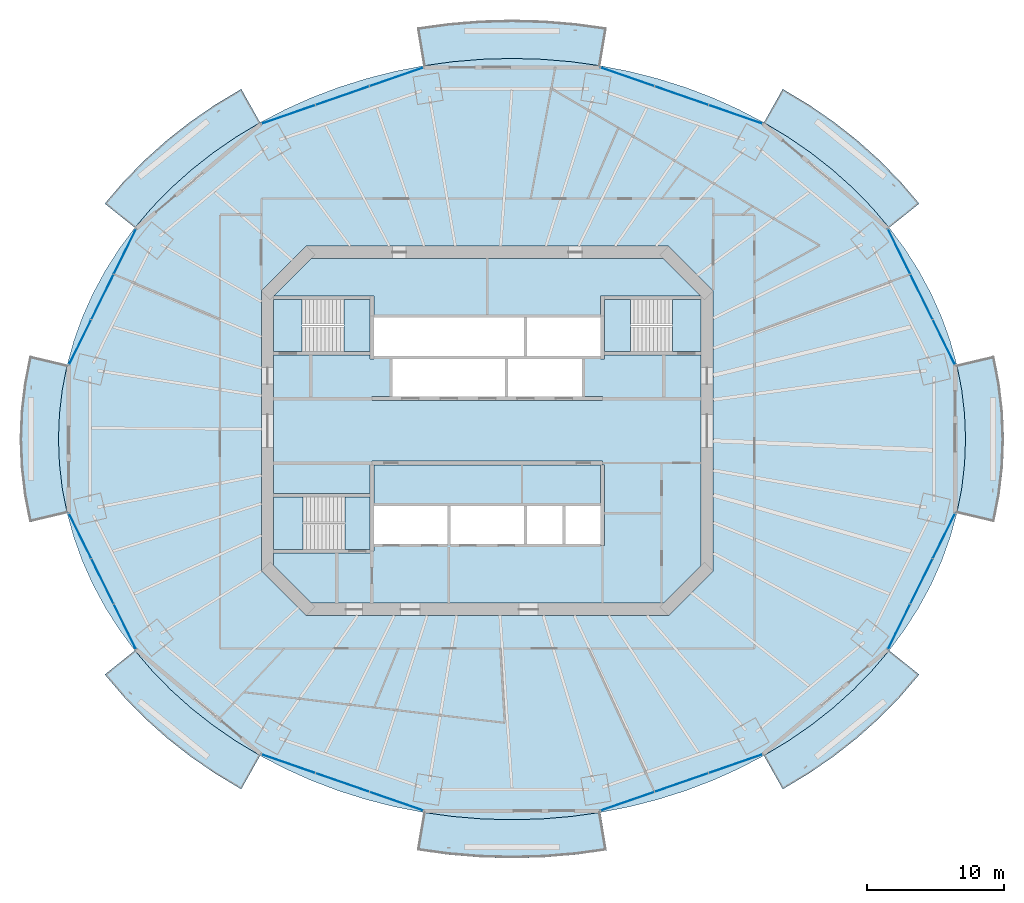
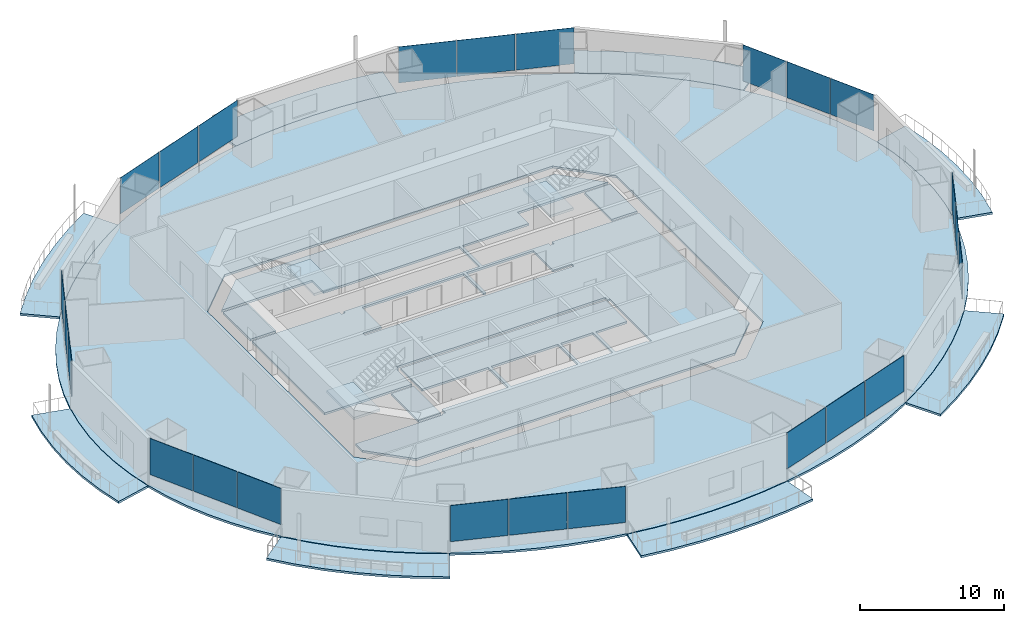
# One storey, part 11 of 21: 24 plates, 16 slabs, 11 elements without a shape of their own.
"""IFC4 building model written with IfcOpenShell, lengths in metres."""

from ifc_helpers import new_model, si_unit, direction, frame, origin, origin_2d, place, context, subcontext, project, spatial, polyline, rectangle, outline, extrude, material, layer, layer_set, type_object, element, aggregate, save


model = new_model("IFC4")

# Units and contexts
model_context = context("Model", 3, precision=1e-05, world=origin(), true_north=direction((0.0, 1.0)))
body_context = subcontext(model_context, "Body", "Model", "MODEL_VIEW")
ifc_project = project(units=[si_unit("LENGTHUNIT", "METRE"), si_unit("AREAUNIT", "SQUARE_METRE"), si_unit("VOLUMEUNIT", "CUBIC_METRE"), si_unit("PLANEANGLEUNIT", "RADIAN"), si_unit("MASSUNIT", "GRAM", prefix="KILO")], contexts=[model_context])

# Site, building, storey
site_placement = place(None, origin())
site = spatial("IfcSite", under=ifc_project, at=site_placement, CompositionType="ELEMENT")
building_placement = place(site_placement, origin())
building = spatial("IfcBuilding", under=site, at=building_placement, Name="Marenthal Gate Tower", CompositionType="ELEMENT")
storey_placement = place(building_placement, frame((0.0, 0.0, 165.199951171875)))
storey = spatial("IfcBuildingStorey", under=building, at=storey_placement, Name="L35", CompositionType="ELEMENT", Elevation=165.199951171875)

# Slabs
ifc_material_1 = material(Name="Concrete 40 MPa", Category="concrete")
ifc_layer_1 = layer(ifc_material_1, 0.179931640625)
ifc_layer_set_1 = layer_set([ifc_layer_1], Name="Balcony deck 180")
slab_type_1 = type_object("IfcSlabType", Name="Balcony deck 180", PredefinedType="USERDEFINED", material=ifc_layer_set_1)
slab_1_placement = place(storey_placement, frame((0.0, 0.0, -0.219970703125)))
element("IfcSlab", 1, at=slab_1_placement, inside=storey, type_object=slab_type_1, Name="Balcony deck L35 bay 2", ObjectType="BALCONY", PredefinedType="USERDEFINED", context=body_context, shape_type="SweptSolid", body=[
    extrude(outline(polyline([(29.25439453125, 14.7958984375), (27.99560546875, 16.27001953125), (26.625, 17.671875), (25.14794921875, 18.995361328125), (23.57080078125, 20.235107421875), (21.900634765625, 21.385498046875), (20.144287109375, 22.441650390625), (21.513916015625, 24.8837890625), (23.416748046875, 23.739501953125), (25.230712890625, 22.489990234375), (26.947998046875, 21.14013671875), (28.56103515625, 19.69482421875), (30.062255859375, 18.159423828125), (31.44482421875, 16.5400390625), (29.25439453125, 14.7958984375)])), origin(), (0.0, 0.0, 1.0), 0.179931640625),
])
slab_2_placement = place(storey_placement, frame((0.0, 0.0, -0.219970703125)))
element("IfcSlab", 2, at=slab_2_placement, inside=storey, type_object=slab_type_1, Name="Balcony deck L35 bay 4", ObjectType="BALCONY", PredefinedType="USERDEFINED", context=body_context, shape_type="SweptSolid", body=[
    extrude(outline(polyline([(8.24169921875, 26.57958984375), (6.10986328125, 26.875), (3.95947265625, 27.052734375), (1.800048828125, 27.112060546875), (-0.359619140625, 27.052734375), (-2.509765625, 26.875), (-4.6416015625, 26.57958984375), (-5.102783203125, 29.34130859375), (-2.8173828125, 29.657958984375), (-0.51318359375, 29.848388671875), (1.800048828125, 29.912109375), (4.11328125, 29.848388671875), (6.417236328125, 29.657958984375), (8.70263671875, 29.34130859375), (8.24169921875, 26.57958984375)])), origin(), (0.0, 0.0, 1.0), 0.179931640625),
])
slab_3_placement = place(storey_placement, frame((0.0, 0.0, -0.219970703125)))
element("IfcSlab", 3, at=slab_3_placement, inside=storey, type_object=slab_type_1, Name="Balcony deck L35 bay 6", ObjectType="BALCONY", PredefinedType="USERDEFINED", context=body_context, shape_type="SweptSolid", body=[
    extrude(outline(polyline([(-16.54443359375, 22.441650390625), (-18.30078125, 21.385498046875), (-19.970947265625, 20.235107421875), (-21.548095703125, 18.995361328125), (-23.02490234375, 17.671875), (-24.395751953125, 16.27001953125), (-25.654296875, 14.7958984375), (-27.844970703125, 16.5400390625), (-26.462158203125, 18.159423828125), (-24.9609375, 19.69482421875), (-23.34814453125, 21.14013671875), (-21.630615234375, 22.489990234375), (-19.816650390625, 23.739501953125), (-17.9140625, 24.8837890625), (-16.54443359375, 22.441650390625)])), origin(), (0.0, 0.0, 1.0), 0.179931640625),
])
slab_4_placement = place(storey_placement, frame((0.0, 0.0, -0.219970703125)))
element("IfcSlab", 4, at=slab_4_placement, inside=storey, type_object=slab_type_1, Name="Balcony deck L35 bay 8", ObjectType="BALCONY", PredefinedType="USERDEFINED", context=body_context, shape_type="SweptSolid", body=[
    extrude(outline(polyline([(-30.58447265625, 4.806396484375), (-30.9365234375, 3.01708984375), (-31.148193359375, 1.21240234375), (-31.218994140625, -0.60009765625), (-31.148193359375, -2.41259765625), (-30.9365234375, -4.217041015625), (-30.58447265625, -6.00634765625), (-33.30908203125, -6.652099609375), (-33.70263671875, -4.651123046875), (-33.939697265625, -2.630615234375), (-34.01904296875, -0.60009765625), (-33.939697265625, 1.430419921875), (-33.70263671875, 3.450927734375), (-33.30908203125, 5.451904296875), (-30.58447265625, 4.806396484375)])), origin(), (0.0, 0.0, 1.0), 0.179931640625),
])
slab_5_placement = place(storey_placement, frame((0.0, 0.0, -0.219970703125)))
element("IfcSlab", 5, at=slab_5_placement, inside=storey, type_object=slab_type_1, Name="Balcony deck L35 bay 10", ObjectType="BALCONY", PredefinedType="USERDEFINED", context=body_context, shape_type="SweptSolid", body=[
    extrude(outline(polyline([(-25.654296875, -15.99609375), (-24.395751953125, -17.469970703125), (-23.02490234375, -18.871826171875), (-21.548095703125, -20.1953125), (-19.970947265625, -21.43505859375), (-18.30078125, -22.58544921875), (-16.54443359375, -23.6416015625), (-17.9140625, -26.083984375), (-19.816650390625, -24.939453125), (-21.630615234375, -23.68994140625), (-23.34814453125, -22.340087890625), (-24.9609375, -20.894775390625), (-26.462158203125, -19.359375), (-27.844970703125, -17.739990234375), (-25.654296875, -15.99609375)])), origin(), (0.0, 0.0, 1.0), 0.179931640625),
])
slab_6_placement = place(storey_placement, frame((0.0, 0.0, -0.219970703125)))
element("IfcSlab", 6, at=slab_6_placement, inside=storey, type_object=slab_type_1, Name="Balcony deck L35 bay 12", ObjectType="BALCONY", PredefinedType="USERDEFINED", context=body_context, shape_type="SweptSolid", body=[
    extrude(outline(polyline([(-4.6416015625, -27.779541015625), (-2.509765625, -28.074951171875), (-0.359619140625, -28.252685546875), (1.800048828125, -28.31201171875), (3.95947265625, -28.252685546875), (6.10986328125, -28.074951171875), (8.24169921875, -27.779541015625), (8.70263671875, -30.541259765625), (6.417236328125, -30.85791015625), (4.11328125, -31.048583984375), (1.800048828125, -31.112060546875), (-0.51318359375, -31.048583984375), (-2.8173828125, -30.85791015625), (-5.102783203125, -30.541259765625), (-4.6416015625, -27.779541015625)])), origin(), (0.0, 0.0, 1.0), 0.179931640625),
])
slab_7_placement = place(storey_placement, frame((0.0, 0.0, -0.219970703125)))
element("IfcSlab", 7, at=slab_7_placement, inside=storey, type_object=slab_type_1, Name="Balcony deck L35 bay 14", ObjectType="BALCONY", PredefinedType="USERDEFINED", context=body_context, shape_type="SweptSolid", body=[
    extrude(outline(polyline([(20.144287109375, -23.6416015625), (21.900634765625, -22.58544921875), (23.57080078125, -21.43505859375), (25.14794921875, -20.1953125), (26.625, -18.871826171875), (27.99560546875, -17.469970703125), (29.25439453125, -15.99609375), (31.44482421875, -17.739990234375), (30.062255859375, -19.359375), (28.56103515625, -20.894775390625), (26.947998046875, -22.340087890625), (25.230712890625, -23.68994140625), (23.416748046875, -24.939453125), (21.513916015625, -26.083984375), (20.144287109375, -23.6416015625)])), origin(), (0.0, 0.0, 1.0), 0.179931640625),
])
slab_8_placement = place(storey_placement, frame((0.0, 0.0, -0.219970703125)))
element("IfcSlab", 8, at=slab_8_placement, inside=storey, type_object=slab_type_1, Name="Balcony deck L35 bay 16", ObjectType="BALCONY", PredefinedType="USERDEFINED", context=body_context, shape_type="SweptSolid", body=[
    extrude(outline(polyline([(34.1845703125, -6.00634765625), (34.53662109375, -4.217041015625), (34.748291015625, -2.41259765625), (34.819091796875, -0.60009765625), (34.748291015625, 1.21240234375), (34.53662109375, 3.01708984375), (34.1845703125, 4.806396484375), (36.908935546875, 5.451904296875), (37.302734375, 3.450927734375), (37.539794921875, 1.430419921875), (37.618896484375, -0.60009765625), (37.539794921875, -2.630615234375), (37.302734375, -4.651123046875), (36.908935546875, -6.652099609375), (34.1845703125, -6.00634765625)])), origin(), (0.0, 0.0, 1.0), 0.179931640625),
])
ifc_material_2 = material(Name="Concrete 50 MPa", Category="concrete")
ifc_layer_2 = layer(ifc_material_2, 0.179931640625)
ifc_layer_set_2 = layer_set([ifc_layer_2], Name="Core floor slab 180")
slab_type_2 = type_object("IfcSlabType", Name="Core floor slab 180", PredefinedType="FLOOR", material=ifc_layer_set_2)
slab_9_placement = place(storey_placement, frame((0.0, 0.0, -0.179931640625)))
element("IfcSlab", 9, at=slab_9_placement, inside=storey, type_object=slab_type_2, Name="Core floor L35", PredefinedType="FLOOR", context=body_context, shape_type="SweptSolid", body=[
    extrude(outline(polyline([(12.813720703125, -12.550048828125), (-12.813720703125, -12.550048828125), (-15.550048828125, -9.813720703125), (-15.550048828125, -8.875), (-8.550048828125, -8.875), (-8.550048828125, -8.75), (-8.25, -8.75), (-8.25, -8.239990234375), (-5.60009765625, -8.239990234375), (-2.909912109375, -8.239990234375), (-2.909912109375, -5.4599609375), (-5.60009765625, -5.4599609375), (-8.25, -5.4599609375), (-8.25, -2.5), (8.25, -2.5), (8.25, -5.4599609375), (5.7099609375, -5.4599609375), (5.7099609375, -8.239990234375), (8.25, -8.239990234375), (8.25, -8.35009765625), (8.550048828125, -8.35009765625), (8.550048828125, -2.5), (8.39990234375, -2.5), (8.39990234375, -2.199951171875), (-8.39990234375, -2.199951171875), (-8.39990234375, -2.5), (-8.550048828125, -2.5), (-8.550048828125, -4.574951171875), (-15.550048828125, -4.574951171875), (-15.550048828125, 5.52490234375), (-8.550048828125, 5.52490234375), (-8.550048828125, 5.239990234375), (-8.25, 5.239990234375), (-8.25, 5.4599609375), (-5.60009765625, 5.4599609375), (-2.800048828125, 5.4599609375), (0.0, 5.4599609375), (2.68994140625, 5.4599609375), (2.68994140625, 8.239990234375), (0.0, 8.239990234375), (-2.800048828125, 8.239990234375), (-5.60009765625, 8.239990234375), (-8.25, 8.239990234375), (-8.25, 8.35009765625), (-8.25, 9.824951171875), (-8.550048828125, 9.824951171875), (-15.53857421875, 9.824951171875), (-12.813720703125, 12.550048828125), (12.813720703125, 12.550048828125), (15.53857421875, 9.824951171875), (8.550048828125, 9.824951171875), (8.25, 9.824951171875), (8.25, 8.35009765625), (8.25, 8.239990234375), (5.60009765625, 8.239990234375), (2.909912109375, 8.239990234375), (2.909912109375, 5.4599609375), (5.60009765625, 5.4599609375), (8.25, 5.4599609375), (8.25, 5.239990234375), (8.550048828125, 5.239990234375), (8.550048828125, 5.52490234375), (15.550048828125, 5.52490234375), (15.550048828125, -9.813720703125), (12.813720703125, -12.550048828125)]), holes=[polyline([(2.68994140625, -8.239990234375), (2.68994140625, -5.4599609375), (0.0, -5.4599609375), (-2.68994140625, -5.4599609375), (-2.68994140625, -8.239990234375), (0.0, -8.239990234375), (2.68994140625, -8.239990234375)]), polyline([(-6.889892578125, 5.239990234375), (-6.889892578125, 2.5), (-8.39990234375, 2.5), (-8.39990234375, 2.199951171875), (8.39990234375, 2.199951171875), (8.39990234375, 2.5), (6.889892578125, 2.5), (6.889892578125, 5.239990234375), (4.199951171875, 5.239990234375), (1.510009765625, 5.239990234375), (1.510009765625, 2.5), (1.2900390625, 2.5), (1.2900390625, 5.239990234375), (-1.39990234375, 5.239990234375), (-4.199951171875, 5.239990234375), (-6.889892578125, 5.239990234375)]), polyline([(5.489990234375, -8.239990234375), (5.489990234375, -5.4599609375), (2.909912109375, -5.4599609375), (2.909912109375, -8.239990234375), (5.489990234375, -8.239990234375)])]), origin(), (0.0, 0.0, 1.0), 0.179931640625),
])
slab_10_placement = place(storey_placement, frame((0.0, 0.0, -0.179931640625)))
element("IfcSlab", 10, at=slab_10_placement, inside=storey, type_object=slab_type_2, Name="Core floor L35", PredefinedType="FLOOR", context=body_context, shape_type="SweptSolid", body=[
    extrude(outline(polyline([(15.550048828125, 5.77490234375), (13.5, 5.77490234375), (13.5, 9.574951171875), (15.550048828125, 9.574951171875), (15.550048828125, 5.77490234375)])), origin(), (0.0, 0.0, 1.0), 0.179931640625),
])
slab_11_placement = place(storey_placement, frame((0.0, 0.0, -0.179931640625)))
element("IfcSlab", 11, at=slab_11_placement, inside=storey, type_object=slab_type_2, Name="Core floor L35", PredefinedType="FLOOR", context=body_context, shape_type="SweptSolid", body=[
    extrude(outline(polyline([(-15.550048828125, 9.574951171875), (-13.5, 9.574951171875), (-13.5, 5.77490234375), (-15.550048828125, 5.77490234375), (-15.550048828125, 9.574951171875)])), origin(), (0.0, 0.0, 1.0), 0.179931640625),
])
slab_12_placement = place(storey_placement, frame((0.0, 0.0, -0.179931640625)))
element("IfcSlab", 12, at=slab_12_placement, inside=storey, type_object=slab_type_2, Name="Core floor L35", PredefinedType="FLOOR", context=body_context, shape_type="SweptSolid", body=[
    extrude(outline(polyline([(-8.550048828125, -8.625), (-10.35009765625, -8.625), (-10.35009765625, -4.824951171875), (-8.550048828125, -4.824951171875), (-8.550048828125, -8.625)])), origin(), (0.0, 0.0, 1.0), 0.179931640625),
])
ifc_material_3 = material(Name="Concrete 35 MPa", Category="concrete")
ifc_layer_3 = layer(ifc_material_3, 0.179931640625)
ifc_layer_set_3 = layer_set([ifc_layer_3], Name="Floor slab 180")
slab_type_3 = type_object("IfcSlabType", Name="Floor slab 180", PredefinedType="FLOOR", material=ifc_layer_set_3)
slab_13_placement = place(storey_placement, frame((0.0, 0.0, -0.179931640625)))
element("IfcSlab", 13, at=slab_13_placement, inside=storey, type_object=slab_type_3, Name="SL-L35-01", PredefinedType="FLOOR", context=body_context, shape_type="SweptSolid", body=[
    extrude(outline(polyline([(34.819091796875, -0.60009765625), (34.748291015625, 1.21240234375), (34.53662109375, 3.01708984375), (34.1845703125, 4.806396484375), (33.69384765625, 6.572509765625), (33.066650390625, 8.3076171875), (32.3056640625, 10.0048828125), (31.413818359375, 11.65673828125), (30.395263671875, 13.256103515625), (29.25439453125, 14.7958984375), (27.99560546875, 16.27001953125), (26.625, 17.671875), (25.14794921875, 18.995361328125), (23.57080078125, 20.235107421875), (21.900634765625, 21.385498046875), (20.144287109375, 22.441650390625), (18.3095703125, 23.3994140625), (16.40380859375, 24.254150390625), (14.435791015625, 25.00244140625), (12.41357421875, 25.641357421875), (10.345947265625, 26.167724609375), (8.24169921875, 26.57958984375), (6.10986328125, 26.875), (3.95947265625, 27.052734375), (1.800048828125, 27.112060546875), (-0.359619140625, 27.052734375), (-2.509765625, 26.875), (-4.6416015625, 26.57958984375), (-6.745849609375, 26.167724609375), (-8.813720703125, 25.641357421875), (-10.835693359375, 25.00244140625), (-12.803955078125, 24.254150390625), (-14.70947265625, 23.3994140625), (-16.54443359375, 22.441650390625), (-18.30078125, 21.385498046875), (-19.970947265625, 20.235107421875), (-21.548095703125, 18.995361328125), (-23.02490234375, 17.671875), (-24.395751953125, 16.27001953125), (-25.654296875, 14.7958984375), (-26.79541015625, 13.256103515625), (-27.813720703125, 11.65673828125), (-28.70556640625, 10.0048828125), (-29.466796875, 8.3076171875), (-30.093994140625, 6.572509765625), (-30.58447265625, 4.806396484375), (-30.9365234375, 3.01708984375), (-31.148193359375, 1.21240234375), (-31.218994140625, -0.60009765625), (-31.148193359375, -2.41259765625), (-30.9365234375, -4.217041015625), (-30.58447265625, -6.00634765625), (-30.093994140625, -7.7724609375), (-29.466796875, -9.5078125), (-28.70556640625, -11.204833984375), (-27.813720703125, -12.856689453125), (-26.79541015625, -14.4560546875), (-25.654296875, -15.99609375), (-24.395751953125, -17.469970703125), (-23.02490234375, -18.871826171875), (-21.548095703125, -20.1953125), (-19.970947265625, -21.43505859375), (-18.30078125, -22.58544921875), (-16.54443359375, -23.6416015625), (-14.70947265625, -24.599365234375), (-12.803955078125, -25.4541015625), (-10.835693359375, -26.202392578125), (-8.813720703125, -26.84130859375), (-6.745849609375, -27.36767578125), (-4.6416015625, -27.779541015625), (-2.509765625, -28.074951171875), (-0.359619140625, -28.252685546875), (1.800048828125, -28.31201171875), (3.95947265625, -28.252685546875), (6.10986328125, -28.074951171875), (8.24169921875, -27.779541015625), (10.345947265625, -27.36767578125), (12.41357421875, -26.84130859375), (14.435791015625, -26.202392578125), (16.40380859375, -25.4541015625), (18.3095703125, -24.599365234375), (20.144287109375, -23.6416015625), (21.900634765625, -22.58544921875), (23.57080078125, -21.43505859375), (25.14794921875, -20.1953125), (26.625, -18.871826171875), (27.99560546875, -17.469970703125), (29.25439453125, -15.99609375), (30.395263671875, -14.4560546875), (31.413818359375, -12.856689453125), (32.3056640625, -11.204833984375), (33.066650390625, -9.5078125), (33.69384765625, -7.7724609375), (34.1845703125, -6.00634765625), (34.53662109375, -4.217041015625), (34.748291015625, -2.41259765625), (34.819091796875, -0.60009765625)]), holes=[polyline([(13.186279296875, -13.449951171875), (16.449951171875, -10.186279296875), (16.449951171875, 10.186279296875), (13.186279296875, 13.449951171875), (-13.186279296875, 13.449951171875), (-16.449951171875, 10.186279296875), (-16.449951171875, -10.186279296875), (-13.186279296875, -13.449951171875), (13.186279296875, -13.449951171875)])]), origin(), (0.0, 0.0, 1.0), 0.179931640625),
])

# Curtain wall, plates
ifc_material_4 = material(Name="Aluminium and glass", Category="aluminium")
curtain_wall_type = type_object("IfcCurtainWallType", Name="Curtain wall typical mid", PredefinedType="NOTDEFINED", material=ifc_material_4)
curtain_wall_1_placement = place(storey_placement, origin())
curtain_wall_1 = element("IfcCurtainWall", 14, at=curtain_wall_1_placement, inside=storey, type_object=curtain_wall_type, Name="Curtain wall L35 bay 1", PredefinedType="NOTDEFINED")
ifc_material_5 = material(Name="Glass, laminated insulating unit", Category="glass")
ifc_layer_4 = layer(ifc_material_5, 0.030029296875)
ifc_layer_set_4 = layer_set([ifc_layer_4], Name="Glass panel 30 typical mid")
plate_type = type_object("IfcPlateType", Name="Glass panel 30 typical mid", PredefinedType="CURTAIN_PANEL", material=ifc_layer_set_4)
plate_1_placement = place(storey_placement, frame((33.2392578125, 6.45849609375, 0.89990234375), z_axis=(0.0, 0.0, 1.0), x_axis=(-0.442823615536, 0.896608747182, 0.0)))
plate_1 = element("IfcPlate", 15, at=plate_1_placement, type_object=plate_type, Name="Glass panel L35 bay 1.1", PredefinedType="CURTAIN_PANEL", context=body_context, shape_type="SweptSolid", body=[
    extrude(rectangle(XDim=3.617919921875, YDim=0.030029296875, at=origin_2d()), origin(), (0.0, 0.0, 1.0), 3.070068359375),
])
plate_2_placement = place(storey_placement, frame((31.610595703125, 9.756103515625, 0.89990234375), z_axis=(0.0, 0.0, 1.0), x_axis=(-0.442823615536, 0.896608747182, 0.0)))
plate_2 = element("IfcPlate", 16, at=plate_2_placement, type_object=plate_type, Name="Glass panel L35 bay 1.2", PredefinedType="CURTAIN_PANEL", context=body_context, shape_type="SweptSolid", body=[
    extrude(rectangle(XDim=3.617919921875, YDim=0.030029296875, at=origin_2d()), origin(), (0.0, 0.0, 1.0), 3.070068359375),
])
plate_3_placement = place(storey_placement, frame((29.982177734375, 13.0537109375, 0.89990234375), z_axis=(0.0, 0.0, 1.0), x_axis=(-0.442823615536, 0.896608747182, 0.0)))
plate_3 = element("IfcPlate", 17, at=plate_3_placement, type_object=plate_type, Name="Glass panel L35 bay 1.3", PredefinedType="CURTAIN_PANEL", context=body_context, shape_type="SweptSolid", body=[
    extrude(rectangle(XDim=3.617919921875, YDim=0.030029296875, at=origin_2d()), origin(), (0.0, 0.0, 1.0), 3.070068359375),
])
aggregate(curtain_wall_1, [plate_1, plate_2, plate_3])

curtain_wall_2_placement = place(storey_placement, origin())
curtain_wall_2 = element("IfcCurtainWall", 18, at=curtain_wall_2_placement, inside=storey, type_object=curtain_wall_type, Name="Curtain wall L35 bay 3", PredefinedType="NOTDEFINED")
plate_4_placement = place(storey_placement, frame((18.082275390625, 23.03515625, 0.89990234375), z_axis=(0.0, 0.0, 1.0), x_axis=(-0.944622987868, 0.328157600538, 0.0)))
plate_4 = element("IfcPlate", 19, at=plate_4_placement, type_object=plate_type, Name="Glass panel L35 bay 3.1", PredefinedType="CURTAIN_PANEL", context=body_context, shape_type="SweptSolid", body=[
    extrude(rectangle(XDim=4.10498046875, YDim=0.030029296875, at=origin_2d()), origin(), (0.0, 0.0, 1.0), 3.070068359375),
])
plate_5_placement = place(storey_placement, frame((14.14794921875, 24.40185546875, 0.89990234375), z_axis=(0.0, 0.0, 1.0), x_axis=(-0.944622987868, 0.328157600538, 0.0)))
plate_5 = element("IfcPlate", 20, at=plate_5_placement, type_object=plate_type, Name="Glass panel L35 bay 3.2", PredefinedType="CURTAIN_PANEL", context=body_context, shape_type="SweptSolid", body=[
    extrude(rectangle(XDim=4.10498046875, YDim=0.030029296875, at=origin_2d()), origin(), (0.0, 0.0, 1.0), 3.070068359375),
])
plate_6_placement = place(storey_placement, frame((10.2138671875, 25.7685546875, 0.89990234375), z_axis=(0.0, 0.0, 1.0), x_axis=(-0.944622987868, 0.328157600538, 0.0)))
plate_6 = element("IfcPlate", 21, at=plate_6_placement, type_object=plate_type, Name="Glass panel L35 bay 3.3", PredefinedType="CURTAIN_PANEL", context=body_context, shape_type="SweptSolid", body=[
    extrude(rectangle(XDim=4.104736328125, YDim=0.030029296875, at=origin_2d()), origin(), (0.0, 0.0, 1.0), 3.070068359375),
])
aggregate(curtain_wall_2, [plate_4, plate_5, plate_6])

curtain_wall_3_placement = place(storey_placement, origin())
curtain_wall_3 = element("IfcCurtainWall", 22, at=curtain_wall_3_placement, inside=storey, type_object=curtain_wall_type, Name="Curtain wall L35 bay 5", PredefinedType="NOTDEFINED")
plate_7_placement = place(storey_placement, frame((-6.61376953125, 25.7685546875, 0.89990234375), z_axis=(0.0, 0.0, 1.0), x_axis=(-0.944622987868, -0.328157600538, 0.0)))
plate_7 = element("IfcPlate", 23, at=plate_7_placement, type_object=plate_type, Name="Glass panel L35 bay 5.1", PredefinedType="CURTAIN_PANEL", context=body_context, shape_type="SweptSolid", body=[
    extrude(rectangle(XDim=4.10498046875, YDim=0.030029296875, at=origin_2d()), origin(), (0.0, 0.0, 1.0), 3.070068359375),
])
plate_8_placement = place(storey_placement, frame((-10.548095703125, 24.40185546875, 0.89990234375), z_axis=(0.0, 0.0, 1.0), x_axis=(-0.944622987868, -0.328157600538, 0.0)))
plate_8 = element("IfcPlate", 24, at=plate_8_placement, type_object=plate_type, Name="Glass panel L35 bay 5.2", PredefinedType="CURTAIN_PANEL", context=body_context, shape_type="SweptSolid", body=[
    extrude(rectangle(XDim=4.10498046875, YDim=0.030029296875, at=origin_2d()), origin(), (0.0, 0.0, 1.0), 3.070068359375),
])
plate_9_placement = place(storey_placement, frame((-14.482177734375, 23.03515625, 0.89990234375), z_axis=(0.0, 0.0, 1.0), x_axis=(-0.944622987868, -0.328157600538, 0.0)))
plate_9 = element("IfcPlate", 25, at=plate_9_placement, type_object=plate_type, Name="Glass panel L35 bay 5.3", PredefinedType="CURTAIN_PANEL", context=body_context, shape_type="SweptSolid", body=[
    extrude(rectangle(XDim=4.104736328125, YDim=0.030029296875, at=origin_2d()), origin(), (0.0, 0.0, 1.0), 3.070068359375),
])
aggregate(curtain_wall_3, [plate_7, plate_8, plate_9])

curtain_wall_4_placement = place(storey_placement, origin())
curtain_wall_4 = element("IfcCurtainWall", 26, at=curtain_wall_4_placement, inside=storey, type_object=curtain_wall_type, Name="Curtain wall L35 bay 7", PredefinedType="NOTDEFINED")
plate_10_placement = place(storey_placement, frame((-26.382080078125, 13.0537109375, 0.89990234375), z_axis=(0.0, 0.0, 1.0), x_axis=(-0.442823615536, -0.896608747182, 0.0)))
plate_10 = element("IfcPlate", 27, at=plate_10_placement, type_object=plate_type, Name="Glass panel L35 bay 7.1", PredefinedType="CURTAIN_PANEL", context=body_context, shape_type="SweptSolid", body=[
    extrude(rectangle(XDim=3.617919921875, YDim=0.030029296875, at=origin_2d()), origin(), (0.0, 0.0, 1.0), 3.070068359375),
])
plate_11_placement = place(storey_placement, frame((-28.0107421875, 9.756103515625, 0.89990234375), z_axis=(0.0, 0.0, 1.0), x_axis=(-0.442823615536, -0.896608747182, 0.0)))
plate_11 = element("IfcPlate", 28, at=plate_11_placement, type_object=plate_type, Name="Glass panel L35 bay 7.2", PredefinedType="CURTAIN_PANEL", context=body_context, shape_type="SweptSolid", body=[
    extrude(rectangle(XDim=3.617919921875, YDim=0.030029296875, at=origin_2d()), origin(), (0.0, 0.0, 1.0), 3.070068359375),
])
plate_12_placement = place(storey_placement, frame((-29.639404296875, 6.45849609375, 0.89990234375), z_axis=(0.0, 0.0, 1.0), x_axis=(-0.442823615536, -0.896608747182, 0.0)))
plate_12 = element("IfcPlate", 29, at=plate_12_placement, type_object=plate_type, Name="Glass panel L35 bay 7.3", PredefinedType="CURTAIN_PANEL", context=body_context, shape_type="SweptSolid", body=[
    extrude(rectangle(XDim=3.617919921875, YDim=0.030029296875, at=origin_2d()), origin(), (0.0, 0.0, 1.0), 3.070068359375),
])
aggregate(curtain_wall_4, [plate_10, plate_11, plate_12])

curtain_wall_5_placement = place(storey_placement, origin())
curtain_wall_5 = element("IfcCurtainWall", 30, at=curtain_wall_5_placement, inside=storey, type_object=curtain_wall_type, Name="Curtain wall L35 bay 9", PredefinedType="NOTDEFINED")
plate_13_placement = place(storey_placement, frame((-29.639404296875, -7.65869140625, 0.89990234375), z_axis=(0.0, 0.0, 1.0), x_axis=(0.442823615536, -0.896608747182, 0.0)))
plate_13 = element("IfcPlate", 31, at=plate_13_placement, type_object=plate_type, Name="Glass panel L35 bay 9.1", PredefinedType="CURTAIN_PANEL", context=body_context, shape_type="SweptSolid", body=[
    extrude(rectangle(XDim=3.617919921875, YDim=0.030029296875, at=origin_2d()), origin(), (0.0, 0.0, 1.0), 3.070068359375),
])
plate_14_placement = place(storey_placement, frame((-28.0107421875, -10.9560546875, 0.89990234375), z_axis=(0.0, 0.0, 1.0), x_axis=(0.442823615536, -0.896608747182, 0.0)))
plate_14 = element("IfcPlate", 32, at=plate_14_placement, type_object=plate_type, Name="Glass panel L35 bay 9.2", PredefinedType="CURTAIN_PANEL", context=body_context, shape_type="SweptSolid", body=[
    extrude(rectangle(XDim=3.617919921875, YDim=0.030029296875, at=origin_2d()), origin(), (0.0, 0.0, 1.0), 3.070068359375),
])
plate_15_placement = place(storey_placement, frame((-26.382080078125, -14.253662109375, 0.89990234375), z_axis=(0.0, 0.0, 1.0), x_axis=(0.442823615536, -0.896608747182, 0.0)))
plate_15 = element("IfcPlate", 33, at=plate_15_placement, type_object=plate_type, Name="Glass panel L35 bay 9.3", PredefinedType="CURTAIN_PANEL", context=body_context, shape_type="SweptSolid", body=[
    extrude(rectangle(XDim=3.617919921875, YDim=0.030029296875, at=origin_2d()), origin(), (0.0, 0.0, 1.0), 3.070068359375),
])
aggregate(curtain_wall_5, [plate_13, plate_14, plate_15])

curtain_wall_6_placement = place(storey_placement, origin())
curtain_wall_6 = element("IfcCurtainWall", 34, at=curtain_wall_6_placement, inside=storey, type_object=curtain_wall_type, Name="Curtain wall L35 bay 11", PredefinedType="NOTDEFINED")
plate_16_placement = place(storey_placement, frame((-14.482177734375, -24.235107421875, 0.89990234375), z_axis=(0.0, 0.0, 1.0), x_axis=(0.944622987868, -0.328157600538, 0.0)))
plate_16 = element("IfcPlate", 35, at=plate_16_placement, type_object=plate_type, Name="Glass panel L35 bay 11.1", PredefinedType="CURTAIN_PANEL", context=body_context, shape_type="SweptSolid", body=[
    extrude(rectangle(XDim=4.10498046875, YDim=0.030029296875, at=origin_2d()), origin(), (0.0, 0.0, 1.0), 3.070068359375),
])
plate_17_placement = place(storey_placement, frame((-10.5478515625, -25.601806640625, 0.89990234375), z_axis=(0.0, 0.0, 1.0), x_axis=(0.944622987868, -0.328157600538, 0.0)))
plate_17 = element("IfcPlate", 36, at=plate_17_placement, type_object=plate_type, Name="Glass panel L35 bay 11.2", PredefinedType="CURTAIN_PANEL", context=body_context, shape_type="SweptSolid", body=[
    extrude(rectangle(XDim=4.10498046875, YDim=0.030029296875, at=origin_2d()), origin(), (0.0, 0.0, 1.0), 3.070068359375),
])
plate_18_placement = place(storey_placement, frame((-6.61376953125, -26.968505859375, 0.89990234375), z_axis=(0.0, 0.0, 1.0), x_axis=(0.944622987868, -0.328157600538, 0.0)))
plate_18 = element("IfcPlate", 37, at=plate_18_placement, type_object=plate_type, Name="Glass panel L35 bay 11.3", PredefinedType="CURTAIN_PANEL", context=body_context, shape_type="SweptSolid", body=[
    extrude(rectangle(XDim=4.104736328125, YDim=0.030029296875, at=origin_2d()), origin(), (0.0, 0.0, 1.0), 3.070068359375),
])
aggregate(curtain_wall_6, [plate_16, plate_17, plate_18])

curtain_wall_7_placement = place(storey_placement, origin())
curtain_wall_7 = element("IfcCurtainWall", 38, at=curtain_wall_7_placement, inside=storey, type_object=curtain_wall_type, Name="Curtain wall L35 bay 13", PredefinedType="NOTDEFINED")
plate_19_placement = place(storey_placement, frame((10.2138671875, -26.968505859375, 0.89990234375), z_axis=(0.0, 0.0, 1.0), x_axis=(0.944622987868, 0.328157600538, 0.0)))
plate_19 = element("IfcPlate", 39, at=plate_19_placement, type_object=plate_type, Name="Glass panel L35 bay 13.1", PredefinedType="CURTAIN_PANEL", context=body_context, shape_type="SweptSolid", body=[
    extrude(rectangle(XDim=4.10498046875, YDim=0.030029296875, at=origin_2d()), origin(), (0.0, 0.0, 1.0), 3.070068359375),
])
plate_20_placement = place(storey_placement, frame((14.14794921875, -25.601806640625, 0.89990234375), z_axis=(0.0, 0.0, 1.0), x_axis=(0.944622987868, 0.328157600538, 0.0)))
plate_20 = element("IfcPlate", 40, at=plate_20_placement, type_object=plate_type, Name="Glass panel L35 bay 13.2", PredefinedType="CURTAIN_PANEL", context=body_context, shape_type="SweptSolid", body=[
    extrude(rectangle(XDim=4.10498046875, YDim=0.030029296875, at=origin_2d()), origin(), (0.0, 0.0, 1.0), 3.070068359375),
])
plate_21_placement = place(storey_placement, frame((18.082275390625, -24.235107421875, 0.89990234375), z_axis=(0.0, 0.0, 1.0), x_axis=(0.944622987868, 0.328157600538, 0.0)))
plate_21 = element("IfcPlate", 41, at=plate_21_placement, type_object=plate_type, Name="Glass panel L35 bay 13.3", PredefinedType="CURTAIN_PANEL", context=body_context, shape_type="SweptSolid", body=[
    extrude(rectangle(XDim=4.104736328125, YDim=0.030029296875, at=origin_2d()), origin(), (0.0, 0.0, 1.0), 3.070068359375),
])
aggregate(curtain_wall_7, [plate_19, plate_20, plate_21])

curtain_wall_8_placement = place(storey_placement, origin())
curtain_wall_8 = element("IfcCurtainWall", 42, at=curtain_wall_8_placement, inside=storey, type_object=curtain_wall_type, Name="Curtain wall L35 bay 15", PredefinedType="NOTDEFINED")
plate_22_placement = place(storey_placement, frame((29.982177734375, -14.253662109375, 0.89990234375), z_axis=(0.0, 0.0, 1.0), x_axis=(0.442823615536, 0.896608747182, 0.0)))
plate_22 = element("IfcPlate", 43, at=plate_22_placement, type_object=plate_type, Name="Glass panel L35 bay 15.1", PredefinedType="CURTAIN_PANEL", context=body_context, shape_type="SweptSolid", body=[
    extrude(rectangle(XDim=3.617919921875, YDim=0.030029296875, at=origin_2d()), origin(), (0.0, 0.0, 1.0), 3.070068359375),
])
plate_23_placement = place(storey_placement, frame((31.610595703125, -10.9560546875, 0.89990234375), z_axis=(0.0, 0.0, 1.0), x_axis=(0.442823615536, 0.896608747182, 0.0)))
plate_23 = element("IfcPlate", 44, at=plate_23_placement, type_object=plate_type, Name="Glass panel L35 bay 15.2", PredefinedType="CURTAIN_PANEL", context=body_context, shape_type="SweptSolid", body=[
    extrude(rectangle(XDim=3.617919921875, YDim=0.030029296875, at=origin_2d()), origin(), (0.0, 0.0, 1.0), 3.070068359375),
])
plate_24_placement = place(storey_placement, frame((33.2392578125, -7.658447265625, 0.89990234375), z_axis=(0.0, 0.0, 1.0), x_axis=(0.442823615536, 0.896608747182, 0.0)))
plate_24 = element("IfcPlate", 45, at=plate_24_placement, type_object=plate_type, Name="Glass panel L35 bay 15.3", PredefinedType="CURTAIN_PANEL", context=body_context, shape_type="SweptSolid", body=[
    extrude(rectangle(XDim=3.617919921875, YDim=0.030029296875, at=origin_2d()), origin(), (0.0, 0.0, 1.0), 3.070068359375),
])
aggregate(curtain_wall_8, [plate_22, plate_23, plate_24])

# Stair, slab
ifc_material_6 = material(Name="Concrete 40 MPa", Category="concrete")
stair_type = type_object("IfcStairType", Name="Exit stair 1800", PredefinedType="HALF_TURN_STAIR", material=ifc_material_6)
stair_1_placement = place(storey_placement, origin())
stair_1 = element("IfcStair", 46, at=stair_1_placement, inside=storey, type_object=stair_type, Name="Stair ST1", PredefinedType="HALF_TURN_STAIR")
ifc_material_7 = material(Name="Concrete 40 MPa", Category="concrete")
ifc_layer_5 = layer(ifc_material_7, 0.199951171875)
ifc_layer_set_5 = layer_set([ifc_layer_5], Name="Stair landing 200")
slab_type_4 = type_object("IfcSlabType", Name="Stair landing 200", PredefinedType="LANDING", material=ifc_layer_set_5)
slab_14_placement = place(storey_placement, frame((0.0, 0.0, 1.875)))
slab_14 = element("IfcSlab", 47, at=slab_14_placement, type_object=slab_type_4, Name="ST1 landing 1", PredefinedType="LANDING", context=body_context, shape_type="SweptSolid", body=[
    extrude(outline(polyline([(-10.419921875, 5.77490234375), (-8.550048828125, 5.77490234375), (-8.550048828125, 9.574951171875), (-10.419921875, 9.574951171875), (-10.419921875, 5.77490234375)])), origin(), (0.0, 0.0, 1.0), 0.199951171875),
])
aggregate(stair_1, [slab_14])

stair_2_placement = place(storey_placement, origin())
stair_2 = element("IfcStair", 48, at=stair_2_placement, inside=storey, type_object=stair_type, Name="Stair ST2", PredefinedType="HALF_TURN_STAIR")
slab_15_placement = place(storey_placement, frame((0.0, 0.0, 1.875)))
slab_15 = element("IfcSlab", 49, at=slab_15_placement, type_object=slab_type_4, Name="ST2 landing 1", PredefinedType="LANDING", context=body_context, shape_type="SweptSolid", body=[
    extrude(outline(polyline([(-15.550048828125, -8.625), (-13.429931640625, -8.625), (-13.429931640625, -4.824951171875), (-15.550048828125, -4.824951171875), (-15.550048828125, -8.625)])), origin(), (0.0, 0.0, 1.0), 0.199951171875),
])
aggregate(stair_2, [slab_15])

stair_3_placement = place(storey_placement, origin())
stair_3 = element("IfcStair", 50, at=stair_3_placement, inside=storey, type_object=stair_type, Name="Stair ST3", PredefinedType="HALF_TURN_STAIR")
slab_16_placement = place(storey_placement, frame((0.0, 0.0, 1.875)))
slab_16 = element("IfcSlab", 51, at=slab_16_placement, type_object=slab_type_4, Name="ST3 landing 1", PredefinedType="LANDING", context=body_context, shape_type="SweptSolid", body=[
    extrude(outline(polyline([(8.550048828125, 5.77490234375), (10.419921875, 5.77490234375), (10.419921875, 9.574951171875), (8.550048828125, 9.574951171875), (8.550048828125, 5.77490234375)])), origin(), (0.0, 0.0, 1.0), 0.199951171875),
])
aggregate(stair_3, [slab_16])

save(model, "model.ifc")
